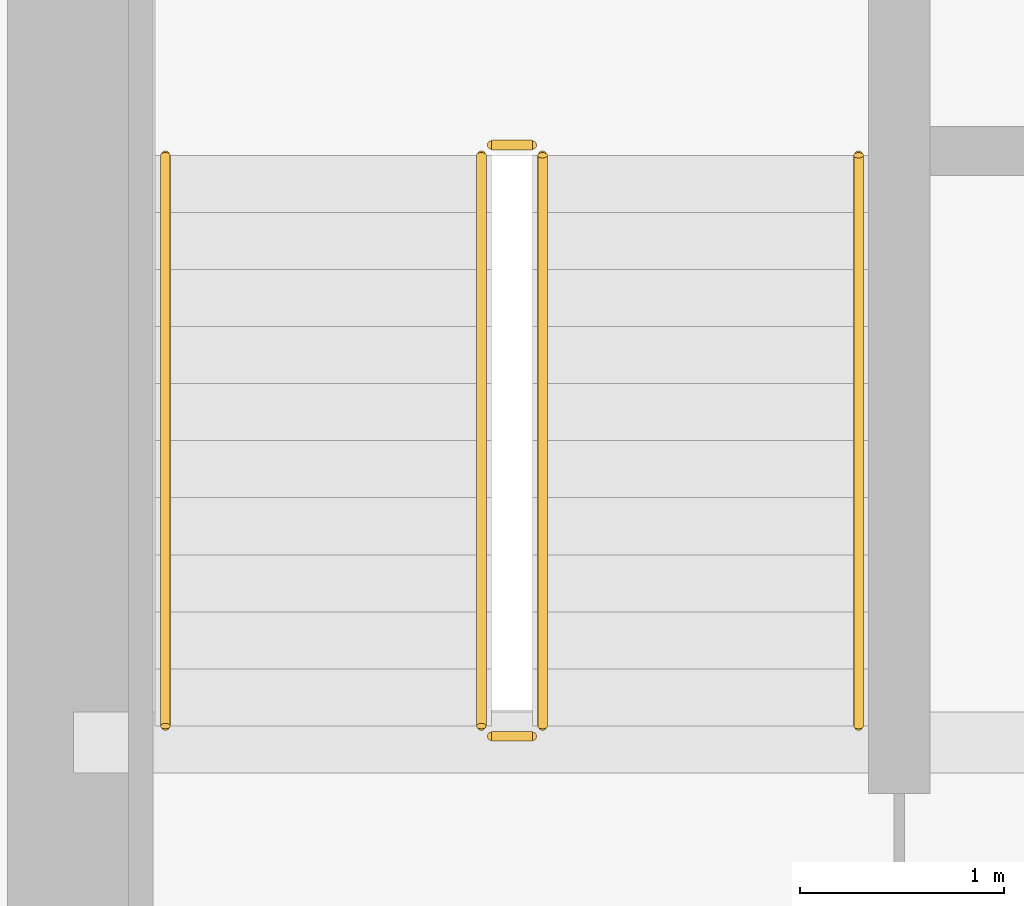
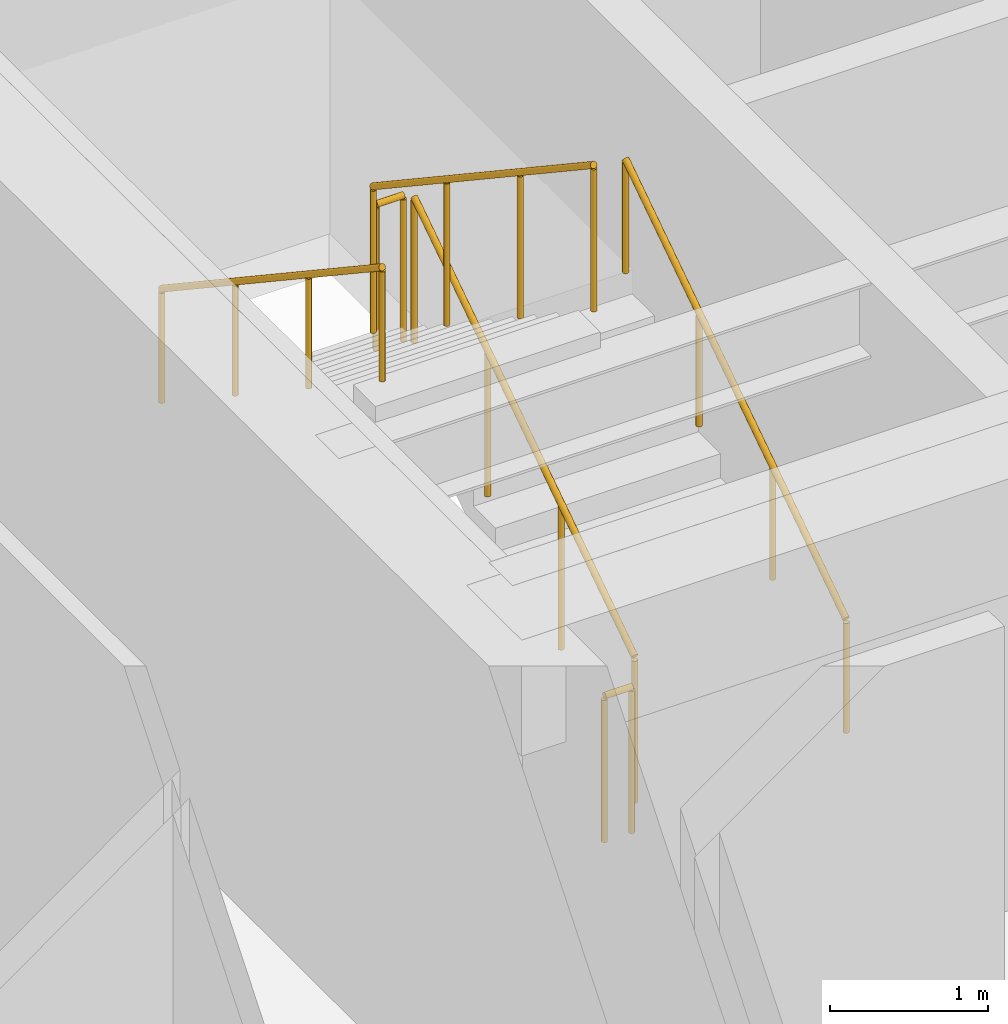
# One storey, part 29 of 30: 6 railings.
"""IFC4 building model written with IfcOpenShell, lengths in metres."""

from ifc_helpers import new_model, si_unit, direction, frame, origin, origin_2d, place, context, subcontext, project, spatial, circle, extrude, source, transform, mapped, material, type_object, type_shapes, element, save


model = new_model("IFC4")

# Units and contexts
model_context = context("Model", 3, precision=1e-05, world=origin(), true_north=direction((0.0, 1.0)))
body_context = subcontext(model_context, "Body", "Model", "MODEL_VIEW")
ifc_project = project(units=[si_unit("LENGTHUNIT", "METRE"), si_unit("AREAUNIT", "SQUARE_METRE"), si_unit("VOLUMEUNIT", "CUBIC_METRE"), si_unit("PLANEANGLEUNIT", "RADIAN"), si_unit("MASSUNIT", "GRAM", prefix="KILO")], contexts=[model_context])

# Site, building, storey
site_placement = place(None, origin())
site = spatial("IfcSite", under=ifc_project, at=site_placement, CompositionType="ELEMENT")
building_placement = place(site_placement, origin())
building = spatial("IfcBuilding", under=site, at=building_placement, Name="Haelvirn Gate Laboratories", CompositionType="ELEMENT")
storey_placement = place(building_placement, frame((0.0, 0.0, 142.0)))
storey = spatial("IfcBuildingStorey", under=building, at=storey_placement, Name="L34", CompositionType="ELEMENT", Elevation=142.0)

# Railings
ifc_material_1 = material(Name="Galvanised steel SM355 & stainless top rail", Category="steel")
railing_type_1 = type_object("IfcRailingType", Name="RL-GUARD-1150", PredefinedType="GUARDRAIL", material=ifc_material_1)
shared_shape_1 = source(origin(), body_context, "Body", "SweptSolid", [
    extrude(circle(Radius=0.02392578125, at=origin_2d()), frame((0.0, 0.0, 1.1259765625), z_axis=(-1.0, 0.0, 0.0), x_axis=(0.0, -1.0, 0.0)), (0.0, 0.0, 1.0), 0.199951171875),
    extrude(circle(Radius=0.02099609375, at=origin_2d()), origin(), (0.0, 0.0, 1.0), 1.101806640625),
    extrude(circle(Radius=0.02099609375, at=origin_2d()), frame((-0.199951171875, 0.0, 0.0)), (0.0, 0.0, 1.0), 1.101806640625),
])
for number, where, name in (
    (1, (9.64990234375, 29.550048828125, 2.050048828125), "L34 ST1 stair guard 2"),
    (2, (9.64990234375, 26.64990234375, 0.0), "L34 ST1 stair guard 4"),
):
    element("IfcRailing", number, at=place(storey_placement, frame(where)), inside=storey, type_object=railing_type_1, Name=name, PredefinedType="GUARDRAIL", context=body_context, shape_type="MappedRepresentation", body=[
        mapped(shared_shape_1, transform((0.0, 0.0, 0.0), scale=1.0)),
    ])
shared_shape_2 = source(origin(), body_context, "Body", "SweptSolid", [
    extrude(circle(Radius=0.02392578125, at=origin_2d()), frame((0.0, 0.0, 1.1259765625), z_axis=(0.0, -0.832452072856, 0.554097055034), x_axis=(1.0, 0.0, 0.0)), (0.0, 0.0, 1.0), 3.363525390625),
    extrude(circle(Radius=0.02099609375, at=origin_2d()), origin(), (0.0, 0.0, 1.0), 1.101806640625),
    extrude(circle(Radius=0.02099609375, at=origin_2d()), frame((0.0, -0.933349609375, 0.621337890625)), (0.0, 0.0, 1.0), 1.101806640625),
    extrude(circle(Radius=0.02099609375, at=origin_2d()), frame((0.0, -1.86669921875, 1.242431640625)), (0.0, 0.0, 1.0), 1.101806640625),
    extrude(circle(Radius=0.02099609375, at=origin_2d()), frame((0.0, -2.800048828125, 1.86376953125)), (0.0, 0.0, 1.0), 1.101806640625),
])
railing_1_placement = place(storey_placement, frame((9.39990234375, 29.5, 2.236328125)))
element("IfcRailing", 3, at=railing_1_placement, inside=storey, type_object=railing_type_1, Name="L34 ST1 stair guard 3", PredefinedType="GUARDRAIL", context=body_context, shape_type="MappedRepresentation", body=[
    mapped(shared_shape_2, transform((0.0, 0.0, 0.0), scale=1.0)),
])
ifc_material_2 = material(Name="Brushed stainless steel 316L", Category="steel")
railing_type_2 = type_object("IfcRailingType", Name="RL-HAND-920", PredefinedType="HANDRAIL", material=ifc_material_2)
shared_shape_3 = source(origin(), body_context, "Body", "SweptSolid", [
    extrude(circle(Radius=0.02392578125, at=origin_2d()), frame((0.0, 0.0, 0.8759765625), z_axis=(0.0, -0.832452072856, 0.554097055034), x_axis=(1.0, 0.0, 0.0)), (0.0, 0.0, 1.0), 3.363525390625),
    extrude(circle(Radius=0.02099609375, at=origin_2d()), origin(), (0.0, 0.0, 1.0), 0.851806640625),
    extrude(circle(Radius=0.02099609375, at=origin_2d()), frame((0.0, -0.933349609375, 0.621337890625)), (0.0, 0.0, 1.0), 0.851806640625),
    extrude(circle(Radius=0.02099609375, at=origin_2d()), frame((0.0, -1.86669921875, 1.242431640625)), (0.0, 0.0, 1.0), 0.851806640625),
    extrude(circle(Radius=0.02099609375, at=origin_2d()), frame((0.0, -2.800048828125, 1.86376953125)), (0.0, 0.0, 1.0), 0.851806640625),
])
railing_2_placement = place(storey_placement, frame((7.85009765625, 29.5, 2.236328125)))
element("IfcRailing", 4, at=railing_2_placement, inside=storey, type_object=railing_type_2, Name="L34 ST1 stair handrail 2", PredefinedType="HANDRAIL", context=body_context, shape_type="MappedRepresentation", body=[
    mapped(shared_shape_3, transform((0.0, 0.0, 0.0), scale=1.0)),
])
shared_shape_4 = source(origin(), body_context, "Body", "SweptSolid", [
    extrude(circle(Radius=0.02392578125, at=origin_2d()), frame((0.0, 0.0, 1.1259765625), z_axis=(0.0, 0.832452072856, 0.554097055034), x_axis=(-1.0, 0.0, 0.0)), (0.0, 0.0, 1.0), 3.363525390625),
    extrude(circle(Radius=0.02099609375, at=origin_2d()), origin(), (0.0, 0.0, 1.0), 1.101806640625),
    extrude(circle(Radius=0.02099609375, at=origin_2d()), frame((0.0, 0.933349609375, 0.621337890625)), (0.0, 0.0, 1.0), 1.101806640625),
    extrude(circle(Radius=0.02099609375, at=origin_2d()), frame((0.0, 1.86669921875, 1.242431640625)), (0.0, 0.0, 1.0), 1.101806640625),
    extrude(circle(Radius=0.02099609375, at=origin_2d()), frame((0.0, 2.800048828125, 1.86376953125)), (0.0, 0.0, 1.0), 1.101806640625),
])
type_shapes(railing_type_1, [shared_shape_1, shared_shape_2, shared_shape_4])
railing_3_placement = place(storey_placement, frame((9.699951171875, 26.699951171875, 0.186279296875)))
element("IfcRailing", 5, at=railing_3_placement, inside=storey, type_object=railing_type_1, Name="L34 ST1 stair guard 1", PredefinedType="GUARDRAIL", context=body_context, shape_type="MappedRepresentation", body=[
    mapped(shared_shape_4, transform((0.0, 0.0, 0.0), scale=1.0)),
])
shared_shape_5 = source(origin(), body_context, "Body", "SweptSolid", [
    extrude(circle(Radius=0.02392578125, at=origin_2d()), frame((0.0, 0.0, 0.8759765625), z_axis=(0.0, 0.832452072856, 0.554097055034), x_axis=(-1.0, 0.0, 0.0)), (0.0, 0.0, 1.0), 3.363525390625),
    extrude(circle(Radius=0.02099609375, at=origin_2d()), origin(), (0.0, 0.0, 1.0), 0.851806640625),
    extrude(circle(Radius=0.02099609375, at=origin_2d()), frame((0.0, 0.933349609375, 0.621337890625)), (0.0, 0.0, 1.0), 0.851806640625),
    extrude(circle(Radius=0.02099609375, at=origin_2d()), frame((0.0, 1.86669921875, 1.242431640625)), (0.0, 0.0, 1.0), 0.851806640625),
    extrude(circle(Radius=0.02099609375, at=origin_2d()), frame((0.0, 2.800048828125, 1.86376953125)), (0.0, 0.0, 1.0), 0.851806640625),
])
type_shapes(railing_type_2, [shared_shape_3, shared_shape_5])
railing_4_placement = place(storey_placement, frame((11.25, 26.699951171875, 0.186279296875)))
element("IfcRailing", 6, at=railing_4_placement, inside=storey, type_object=railing_type_2, Name="L34 ST1 stair handrail 1", PredefinedType="HANDRAIL", context=body_context, shape_type="MappedRepresentation", body=[
    mapped(shared_shape_5, transform((0.0, 0.0, 0.0), scale=1.0)),
])

save(model, "model.ifc")
